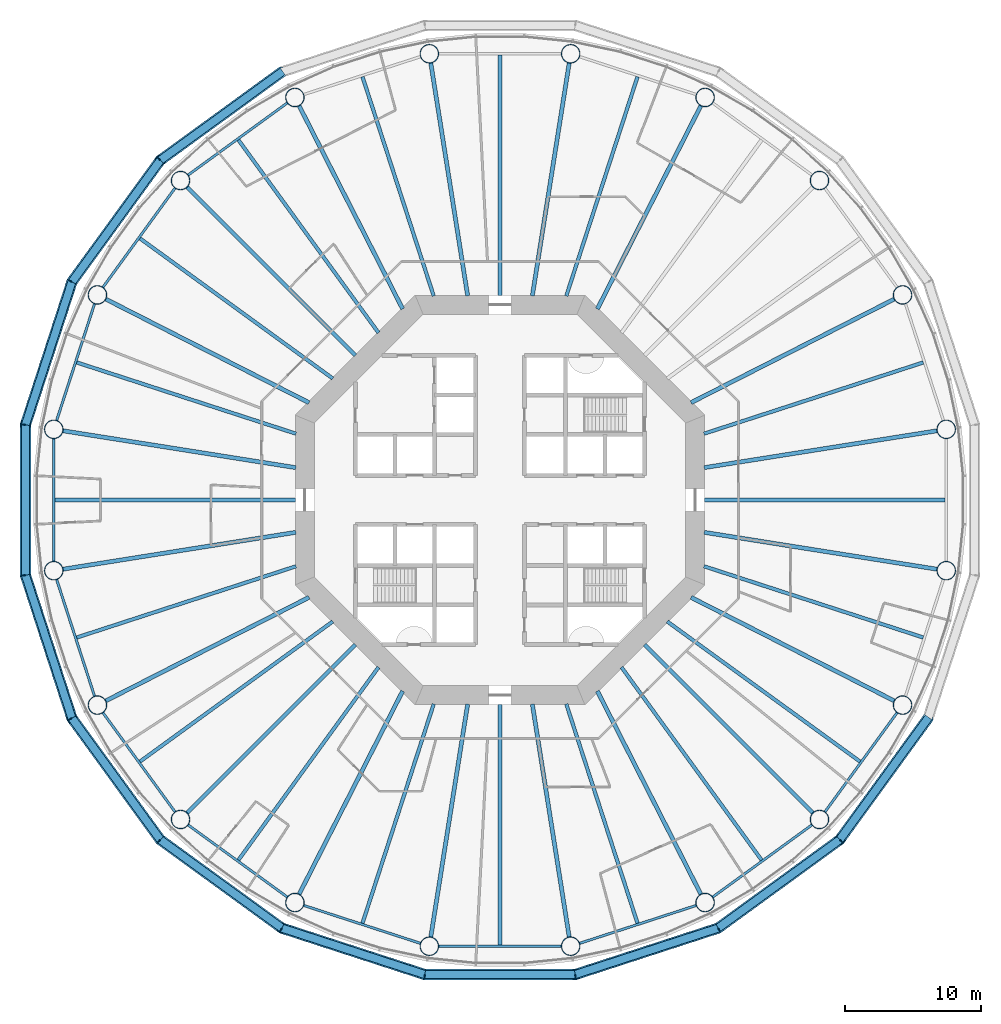
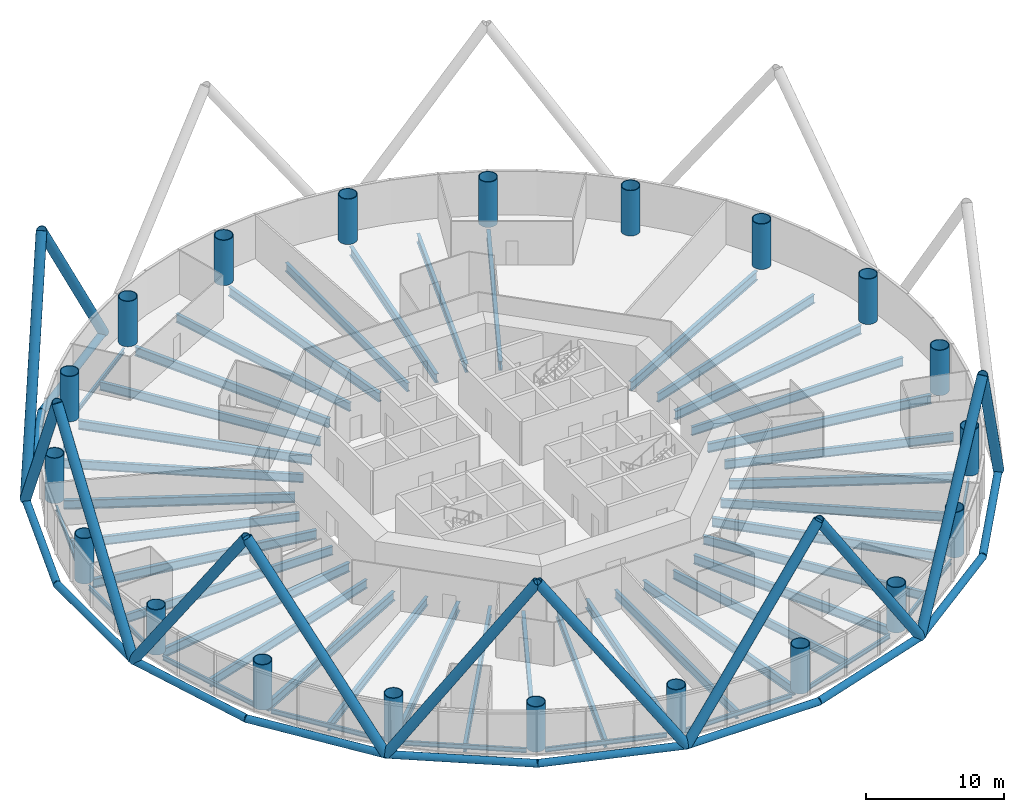
# One storey, part 1 of 13: 49 beams, 24 members, 20 columns.
"""IFC4 building model written with IfcOpenShell, lengths in metres."""

from ifc_helpers import new_model, si_unit, direction, frame, origin, origin_2d, place, context, subcontext, project, spatial, circle, hollow_circle, i_section, extrude, material, material_profile, profile_set, type_object, element, save


model = new_model("IFC4")

# Units and contexts
model_context = context("Model", 3, precision=1e-05, world=origin(), true_north=direction((0.0, 1.0)))
body_context = subcontext(model_context, "Body", "Model", "MODEL_VIEW")
ifc_project = project(units=[si_unit("LENGTHUNIT", "METRE"), si_unit("AREAUNIT", "SQUARE_METRE"), si_unit("VOLUMEUNIT", "CUBIC_METRE"), si_unit("PLANEANGLEUNIT", "RADIAN"), si_unit("MASSUNIT", "GRAM", prefix="KILO")], contexts=[model_context])

# Site, building, storey
site_placement = place(None, origin())
site = spatial("IfcSite", under=ifc_project, at=site_placement, CompositionType="ELEMENT")
building_placement = place(site_placement, origin())
building = spatial("IfcBuilding", under=site, at=building_placement, Name="Entoto Ring Tower", CompositionType="ELEMENT")
storey_placement = place(building_placement, frame((0.0, 0.0, 38.0)))
storey = spatial("IfcBuildingStorey", under=building, at=storey_placement, Name="L07", CompositionType="ELEMENT", Elevation=38.0)

# Columns
ifc_material_1 = material(Name="Steel S355", Category="steel")
ifc_material_profile_1 = material_profile(ifc_material_1, hollow_circle(Radius=0.699951171875, WallThickness=0.06005859375, at=origin_2d()), Name="CHS 1400 x 60")
ifc_material_2 = material(Name="Concrete C60/75", Category="concrete")
ifc_material_profile_2 = material_profile(ifc_material_2, circle(Radius=0.639892578125, at=origin_2d()), Name="Concrete C60/75 infill")
ifc_profile_set_1 = profile_set([ifc_material_profile_1, ifc_material_profile_2], Name="Steel S355")
column_type = type_object("IfcColumnType", Name="Ring column 1400 x 60 concrete-filled tube", PredefinedType="COLUMN", material=ifc_profile_set_1)
for number, where, z_axis, x_axis, name in (
    (1, (122.6923828125, 85.177978515625, 0.0), (0.0, 0.0, 1.0), (1.0, 0.0, 0.0), "RC1 R01"),
    (2, (119.492431640625, 95.027099609375, 0.0), (0.0, 0.0, 1.0), (1.0, 0.0, 0.0), "RC1 R02"),
    (3, (113.4052734375, 103.4052734375, 0.0), (0.0, 0.0, 1.0), (1.0, 0.0, 0.0), "RC1 R03"),
    (4, (105.027099609375, 109.492431640625, 0.0), (0.0, 0.0, 1.0), (1.0, 0.0, 0.0), "RC1 R04"),
    (5, (95.177978515625, 112.6923828125, 0.0), (0.0, 0.0, 1.0), (1.0, 0.0, 0.0), "RC1 R05"),
    (6, (84.822021484375, 112.6923828125, 0.0), (0.0, 0.0, 1.0), (1.0, 0.0, 0.0), "RC1 R06"),
    (7, (74.972900390625, 109.492431640625, 0.0), (0.0, 0.0, 1.0), (1.0, 0.0, 0.0), "RC1 R07"),
    (8, (66.5947265625, 103.4052734375, 0.0), (0.0, 0.0, 1.0), (1.0, 0.0, 0.0), "RC1 R08"),
    (9, (60.507568359375, 95.027099609375, 0.0), (0.0, 0.0, 1.0), (1.0, 0.0, 0.0), "RC1 R09"),
    (10, (57.3076171875, 85.177978515625, 0.0), (0.0, 0.0, 1.0), (1.0, 0.0, 0.0), "RC1 R10"),
    (11, (57.3076171875, 74.822021484375, 0.0), (0.0, 0.0, 1.0), (1.0, 0.0, 0.0), "RC1 R11"),
    (12, (60.507568359375, 64.972900390625, 0.0), (0.0, 0.0, 1.0), (1.0, 0.0, 0.0), "RC1 R12"),
    (13, (66.5947265625, 56.5947265625, 0.0), (0.0, 0.0, 1.0), (1.0, 0.0, 0.0), "RC1 R13"),
    (14, (74.972900390625, 50.507568359375, 0.0), (0.0, 0.0, 1.0), (1.0, 0.0, 0.0), "RC1 R14"),
    (15, (84.822021484375, 47.3076171875, 0.0), (0.0, 0.0, 1.0), (1.0, 0.0, 0.0), "RC1 R15"),
    (16, (95.177978515625, 47.3076171875, 0.0), (0.0, 0.0, 1.0), (1.0, 0.0, 0.0), "RC1 R16"),
    (17, (105.027099609375, 50.507568359375, 0.0), (0.0, 0.0, 1.0), (1.0, 0.0, 0.0), "RC1 R17"),
    (18, (113.4052734375, 56.5947265625, 0.0), (0.0, 0.0, 1.0), (1.0, 0.0, 0.0), "RC1 R18"),
    (19, (119.492431640625, 64.972900390625, 0.0), (0.0, 0.0, 1.0), (1.0, 0.0, 0.0), "RC1 R19"),
    (20, (122.6923828125, 74.822021484375, 0.0), (0.0, 0.0, 1.0), (1.0, 0.0, 0.0), "RC1 R20"),
):
    element("IfcColumn", number, at=place(storey_placement, frame(where, z_axis=z_axis, x_axis=x_axis)), inside=storey, type_object=column_type, Name=name, PredefinedType="COLUMN", context=body_context, shape_type="SweptSolid", body=[
        extrude(hollow_circle(Radius=0.699951171875, WallThickness=0.06005859375, at=origin_2d()), origin(), (0.0, 0.0, 1.0), 4.0),
    ])

# Members
ifc_material_3 = material(Name="Steel S355", Category="steel")
ifc_material_profile_3 = material_profile(ifc_material_3, hollow_circle(Radius=0.39990234375, WallThickness=0.0400390625, at=origin_2d()), Name="CHS 800 x 40")
ifc_material_4 = material(Name="Concrete C60/75", Category="concrete")
ifc_material_profile_4 = material_profile(ifc_material_4, circle(Radius=0.360107421875, at=origin_2d()), Name="Concrete C60/75 infill")
ifc_profile_set_2 = profile_set([ifc_material_profile_3, ifc_material_profile_4], Name="Steel S355")
member_type_1 = type_object("IfcMemberType", Name="Diagrid diagonal 800 x 40 concrete-filled tube", PredefinedType="BRACE", material=ifc_profile_set_2)
for number, where, z_axis, x_axis, name in (
    (21, (74.01953125, 111.363525390625, 0.0), (-0.458696716441, -0.333269672725, 0.823728503554), (0.587793333731, -0.809011122805, 0.0), "DG1 module 3 08"),
    (22, (58.636474609375, 95.98046875, 0.0), (0.333269672725, 0.458696716441, 0.823728503554), (-0.809011122805, 0.587793333731, 0.0), "DG1 module 3 09"),
    (23, (58.636474609375, 95.98046875, 0.0), (-0.175201587447, -0.539229736931, 0.823732781043), (0.951058991317, -0.309009376937, 0.0), "DG1 module 3 10"),
):
    element("IfcMember", number, at=place(storey_placement, frame(where, z_axis=z_axis, x_axis=x_axis)), inside=storey, type_object=member_type_1, Name=name, PredefinedType="BRACE", context=body_context, shape_type="SweptSolid", body=[
        extrude(hollow_circle(Radius=0.39990234375, WallThickness=0.0400390625, at=origin_2d()), origin(), (0.0, 0.0, 1.0), 19.423828125),
    ])
member_1_placement = place(storey_placement, frame((55.2333984375, 74.493408203125, 0.0), z_axis=(0.0, 0.566989621488, 0.823724935355), x_axis=(-1.0, 0.0, 0.0)))
element("IfcMember", 24, at=member_1_placement, inside=storey, type_object=member_type_1, Name="DG1 module 3 11", PredefinedType="BRACE", context=body_context, shape_type="SweptSolid", body=[
    extrude(hollow_circle(Radius=0.39990234375, WallThickness=0.0400390625, at=origin_2d()), origin(), (0.0, 0.0, 1.0), 19.424072265625),
])
for number, where, z_axis, x_axis, name in (
    (25, (55.2333984375, 74.493408203125, 0.0), (0.175201587447, -0.539229736931, 0.823732781043), (0.951058991317, 0.309009376937, 0.0), "DG1 module 3 12"),
    (26, (65.10986328125, 55.10986328125, 0.0), (-0.333269672725, 0.458696716441, 0.823728503554), (-0.809011122805, -0.587793333731, 0.0), "DG1 module 3 13"),
    (27, (65.10986328125, 55.10986328125, 0.0), (0.458696716441, -0.333269672725, 0.823728503554), (0.587793333731, 0.809011122805, 0.0), "DG1 module 3 14"),
    (28, (84.493408203125, 45.2333984375, 0.0), (-0.539229736931, 0.175201587447, 0.823732781043), (-0.309009376937, -0.951058991317, 0.0), "DG1 module 3 15"),
):
    element("IfcMember", number, at=place(storey_placement, frame(where, z_axis=z_axis, x_axis=x_axis)), inside=storey, type_object=member_type_1, Name=name, PredefinedType="BRACE", context=body_context, shape_type="SweptSolid", body=[
        extrude(hollow_circle(Radius=0.39990234375, WallThickness=0.0400390625, at=origin_2d()), origin(), (0.0, 0.0, 1.0), 19.423828125),
    ])
member_2_placement = place(storey_placement, frame((84.493408203125, 45.2333984375, 0.0), z_axis=(0.566989621488, 0.0, 0.823724935355), x_axis=(0.0, 1.0, 0.0)))
element("IfcMember", 29, at=member_2_placement, inside=storey, type_object=member_type_1, Name="DG1 module 3 16", PredefinedType="BRACE", context=body_context, shape_type="SweptSolid", body=[
    extrude(hollow_circle(Radius=0.39990234375, WallThickness=0.0400390625, at=origin_2d()), origin(), (0.0, 0.0, 1.0), 19.424072265625),
])
for number, where, z_axis, x_axis, name in (
    (30, (105.98046875, 48.636474609375, 0.0), (-0.539229736931, -0.175201587447, 0.823732781043), (0.309009376937, -0.951058991317, 0.0), "DG1 module 3 17"),
    (31, (105.98046875, 48.636474609375, 0.0), (0.458696716441, 0.333269672725, 0.823728503554), (-0.587793333731, 0.809011122805, 0.0), "DG1 module 3 18"),
    (32, (121.363525390625, 64.01953125, 0.0), (-0.333269672725, -0.458696716441, 0.823728503554), (0.809011122805, -0.587793333731, 0.0), "DG1 module 3 19"),
):
    element("IfcMember", number, at=place(storey_placement, frame(where, z_axis=z_axis, x_axis=x_axis)), inside=storey, type_object=member_type_1, Name=name, PredefinedType="BRACE", context=body_context, shape_type="SweptSolid", body=[
        extrude(hollow_circle(Radius=0.39990234375, WallThickness=0.0400390625, at=origin_2d()), origin(), (0.0, 0.0, 1.0), 19.423828125),
    ])
ifc_material_5 = material(Name="Steel S355", Category="steel")
ifc_material_profile_5 = material_profile(ifc_material_5, hollow_circle(Radius=0.300048828125, WallThickness=0.030029296875, at=origin_2d()), Name="CHS 600 x 30")
ifc_material_6 = material(Name="Concrete C60/75", Category="concrete")
ifc_material_profile_6 = material_profile(ifc_material_6, circle(Radius=0.27001953125, at=origin_2d()), Name="Concrete C60/75 infill")
ifc_profile_set_3 = profile_set([ifc_material_profile_5, ifc_material_profile_6], Name="Steel S355")
member_type_2 = type_object("IfcMemberType", Name="Diagrid ring beam 600 x 30", PredefinedType="CHORD", material=ifc_profile_set_3)
for number, where, z_axis, x_axis, name in (
    (33, (74.07421875, 111.403076171875, 0.0), (-0.809026721692, -0.587771863556, 0.0), (0.587771863556, -0.809026721692, 0.0), "DR1 ring 2 07"),
    (34, (65.1494140625, 104.94482421875, 0.0), (-0.587771863556, -0.809026721692, 0.0), (0.809026721692, -0.587771863556, 0.0), "DR1 ring 2 08"),
    (35, (58.657470703125, 96.044677734375, 0.0), (-0.309031105137, -0.951051931315, 0.0), (0.951051931315, -0.309031105137, 0.0), "DR1 ring 2 09"),
    (36, (55.2333984375, 85.573974609375, 0.0), (0.0, -1.0, 0.0), (1.0, 0.0, 0.0), "DR1 ring 2 10"),
    (37, (55.21240234375, 74.5576171875, 0.0), (0.309031105137, -0.951051931315, 0.0), (0.951051931315, 0.309031105137, 0.0), "DR1 ring 2 11"),
    (38, (58.596923828125, 64.07421875, 0.0), (0.587771863556, -0.809026721692, 0.0), (0.809026721692, 0.587771863556, 0.0), "DR1 ring 2 12"),
    (39, (65.05517578125, 55.1494140625, 0.0), (0.809026721692, -0.587771863556, 0.0), (0.587771863556, 0.809026721692, 0.0), "DR1 ring 2 13"),
    (40, (73.955322265625, 48.657470703125, 0.0), (0.951051931315, -0.309031105137, 0.0), (0.309031105137, 0.951051931315, 0.0), "DR1 ring 2 14"),
    (41, (84.426025390625, 45.2333984375, 0.0), (1.0, 0.0, 0.0), (0.0, 1.0, 0.0), "DR1 ring 2 15"),
    (42, (95.4423828125, 45.21240234375, 0.0), (0.951051931315, 0.309031105137, 0.0), (-0.309031105137, 0.951051931315, 0.0), "DR1 ring 2 16"),
    (43, (105.92578125, 48.596923828125, 0.0), (0.809026721692, 0.587771863556, 0.0), (-0.587771863556, 0.809026721692, 0.0), "DR1 ring 2 17"),
    (44, (114.8505859375, 55.05517578125, 0.0), (0.587771863556, 0.809026721692, 0.0), (-0.809026721692, 0.587771863556, 0.0), "DR1 ring 2 18"),
):
    element("IfcMember", number, at=place(storey_placement, frame(where, z_axis=z_axis, x_axis=x_axis)), inside=storey, type_object=member_type_2, Name=name, PredefinedType="CHORD", context=body_context, shape_type="SweptSolid", body=[
        extrude(hollow_circle(Radius=0.300048828125, WallThickness=0.030029296875, at=origin_2d()), origin(), (0.0, 0.0, 1.0), 11.14794921875),
    ])

# Beams
ifc_material_7 = material(Name="Steel S355", Category="steel")
ifc_material_profile_7 = material_profile(ifc_material_7, i_section(OverallWidth=0.179931640625, OverallDepth=0.39990234375, WebThickness=0.008544921875, FlangeThickness=0.013427734375, FilletRadius=0.02099609375, at=origin_2d()), Name="IPE 400")
ifc_profile_set_4 = profile_set([ifc_material_profile_7], Name="Steel S355")
beam_type_1 = type_object("IfcBeamType", Name="Edge beam IPE 400", PredefinedType="SPANDREL", material=ifc_profile_set_4)
for number, where, z_axis, x_axis, name in (
    (45, (74.427490234375, 109.09619140625, -0.35009765625), (-0.80901142547, -0.587792917156, 0.0), (0.587792917156, -0.80901142547, 0.0), "Edge beam L07 07"),
    (46, (66.198486328125, 102.85986328125, -0.35009765625), (-0.587792917156, -0.80901142547, 0.0), (0.80901142547, -0.587792917156, 0.0), "Edge beam L07 08"),
    (47, (60.29931640625, 94.385986328125, -0.35009765625), (-0.309006400295, -0.951059958455, 0.0), (0.951059958455, -0.309006400295, 0.0), "Edge beam L07 09"),
    (48, (57.3076171875, 84.50390625, -0.35009765625), (0.0, -1.0, 0.0), (1.0, 0.0, 0.0), "Edge beam L07 10"),
    (49, (57.515869140625, 74.180908203125, -0.35009765625), (0.309006400295, -0.951059958455, 0.0), (0.951059958455, 0.309006400295, 0.0), "Edge beam L07 11"),
    (50, (60.90380859375, 64.427490234375, -0.35009765625), (0.587792917156, -0.80901142547, 0.0), (0.80901142547, 0.587792917156, 0.0), "Edge beam L07 12"),
    (51, (67.14013671875, 56.198486328125, -0.35009765625), (0.80901142547, -0.587792917156, 0.0), (0.587792917156, 0.80901142547, 0.0), "Edge beam L07 13"),
    (52, (75.614013671875, 50.29931640625, -0.35009765625), (0.951059958455, -0.309006400295, 0.0), (0.309006400295, 0.951059958455, 0.0), "Edge beam L07 14"),
    (53, (85.49609375, 47.3076171875, -0.35009765625), (1.0, 0.0, 0.0), (0.0, 1.0, 0.0), "Edge beam L07 15"),
    (54, (95.819091796875, 47.515869140625, -0.35009765625), (0.951059958455, 0.309006400295, 0.0), (-0.309006400295, 0.951059958455, 0.0), "Edge beam L07 16"),
    (55, (105.572509765625, 50.90380859375, -0.35009765625), (0.80901142547, 0.587792917156, 0.0), (-0.587792917156, 0.80901142547, 0.0), "Edge beam L07 17"),
    (56, (113.801513671875, 57.14013671875, -0.35009765625), (0.587792917156, 0.80901142547, 0.0), (-0.80901142547, 0.587792917156, 0.0), "Edge beam L07 18"),
):
    element("IfcBeam", number, at=place(storey_placement, frame(where, z_axis=z_axis, x_axis=x_axis)), inside=storey, type_object=beam_type_1, Name=name, PredefinedType="SPANDREL", context=body_context, shape_type="SweptSolid", body=[
        extrude(i_section(OverallWidth=0.179931640625, OverallDepth=0.39990234375, WebThickness=0.008544921875, FlangeThickness=0.013427734375, FilletRadius=0.02099609375, at=origin_2d()), origin(), (0.0, 0.0, 1.0), 9.0078125),
    ])
ifc_material_8 = material(Name="Steel S355", Category="steel")
ifc_material_profile_8 = material_profile(ifc_material_8, i_section(OverallWidth=0.300048828125, OverallDepth=0.800048828125, WebThickness=0.017578125, FlangeThickness=0.032958984375, FilletRadius=0.030029296875, at=origin_2d()), Name="HE 800 B")
ifc_profile_set_5 = profile_set([ifc_material_profile_8], Name="Steel S355")
beam_type_2 = type_object("IfcBeamType", Name="Primary floor beam HE 800 B", PredefinedType="BEAM", material=ifc_profile_set_5)
beam_1_placement = place(storey_placement, frame((104.956787109375, 82.368896484375, -0.550048828125), z_axis=(0.98768775999, 0.156438130794, 0.0), x_axis=(-0.156438130794, 0.98768775999, 0.0)))
element("IfcBeam", 57, at=beam_1_placement, inside=storey, type_object=beam_type_2, Name="Primary L07 R01", PredefinedType="BEAM", context=body_context, shape_type="SweptSolid", body=[
    extrude(i_section(OverallWidth=0.300048828125, OverallDepth=0.800048828125, WebThickness=0.017578125, FlangeThickness=0.032958984375, FilletRadius=0.030029296875, at=origin_2d()), origin(), (0.0, 0.0, 1.0), 17.293212890625),
])
for number, where, z_axis, x_axis, name in (
    (58, (103.99169921875, 87.129150390625, -0.550048828125), (0.891007761657, 0.453988071063, 0.0), (-0.453988071063, 0.891007761657, 0.0), "Primary L07 R02"),
    (59, (97.129150390625, 93.99169921875, -0.550048828125), (0.453988071063, 0.891007761657, 0.0), (-0.891007761657, 0.453988071063, 0.0), "Primary L07 R04"),
):
    element("IfcBeam", number, at=place(storey_placement, frame(where, z_axis=z_axis, x_axis=x_axis)), inside=storey, type_object=beam_type_2, Name=name, PredefinedType="BEAM", context=body_context, shape_type="SweptSolid", body=[
        extrude(i_section(OverallWidth=0.300048828125, OverallDepth=0.800048828125, WebThickness=0.017578125, FlangeThickness=0.032958984375, FilletRadius=0.030029296875, at=origin_2d()), origin(), (0.0, 0.0, 1.0), 16.733154296875),
    ])
for number, where, z_axis, x_axis, name in (
    (60, (92.368896484375, 94.956787109375, -0.550048828125), (0.156438130794, 0.98768775999, 0.0), (-0.98768775999, 0.156438130794, 0.0), "Primary L07 R05"),
    (61, (87.631103515625, 94.956787109375, -0.550048828125), (-0.156438130794, 0.98768775999, 0.0), (-0.98768775999, -0.156438130794, 0.0), "Primary L07 R06"),
):
    element("IfcBeam", number, at=place(storey_placement, frame(where, z_axis=z_axis, x_axis=x_axis)), inside=storey, type_object=beam_type_2, Name=name, PredefinedType="BEAM", context=body_context, shape_type="SweptSolid", body=[
        extrude(i_section(OverallWidth=0.300048828125, OverallDepth=0.800048828125, WebThickness=0.017578125, FlangeThickness=0.032958984375, FilletRadius=0.030029296875, at=origin_2d()), origin(), (0.0, 0.0, 1.0), 17.293212890625),
    ])
beam_2_placement = place(storey_placement, frame((82.870849609375, 93.99169921875, -0.550048828125), z_axis=(-0.453988071063, 0.891007761657, 0.0), x_axis=(-0.891007761657, -0.453988071063, 0.0)))
element("IfcBeam", 62, at=beam_2_placement, inside=storey, type_object=beam_type_2, Name="Primary L07 R07", PredefinedType="BEAM", context=body_context, shape_type="SweptSolid", body=[
    extrude(i_section(OverallWidth=0.300048828125, OverallDepth=0.800048828125, WebThickness=0.017578125, FlangeThickness=0.032958984375, FilletRadius=0.030029296875, at=origin_2d()), origin(), (0.0, 0.0, 1.0), 16.733154296875),
])
beam_3_placement = place(storey_placement, frame((79.407470703125, 90.592529296875, -0.550048828125), z_axis=(-0.707106781187, 0.707106781187, 0.0), x_axis=(-0.707106781187, -0.707106781187, 0.0)))
element("IfcBeam", 63, at=beam_3_placement, inside=storey, type_object=beam_type_2, Name="Primary L07 R08", PredefinedType="BEAM", context=body_context, shape_type="SweptSolid", body=[
    extrude(i_section(OverallWidth=0.300048828125, OverallDepth=0.800048828125, WebThickness=0.017578125, FlangeThickness=0.032958984375, FilletRadius=0.030029296875, at=origin_2d()), origin(), (0.0, 0.0, 1.0), 17.456298828125),
])
beam_4_placement = place(storey_placement, frame((76.00830078125, 87.129150390625, -0.550048828125), z_axis=(-0.891007761657, 0.453988071063, 0.0), x_axis=(-0.453988071063, -0.891007761657, 0.0)))
element("IfcBeam", 64, at=beam_4_placement, inside=storey, type_object=beam_type_2, Name="Primary L07 R09", PredefinedType="BEAM", context=body_context, shape_type="SweptSolid", body=[
    extrude(i_section(OverallWidth=0.300048828125, OverallDepth=0.800048828125, WebThickness=0.017578125, FlangeThickness=0.032958984375, FilletRadius=0.030029296875, at=origin_2d()), origin(), (0.0, 0.0, 1.0), 16.733154296875),
])
for number, where, z_axis, x_axis, name in (
    (65, (75.043212890625, 82.368896484375, -0.550048828125), (-0.98768775999, 0.156438130794, 0.0), (-0.156438130794, -0.98768775999, 0.0), "Primary L07 R10"),
    (66, (75.043212890625, 77.631103515625, -0.550048828125), (-0.98768775999, -0.156438130794, 0.0), (0.156438130794, -0.98768775999, 0.0), "Primary L07 R11"),
):
    element("IfcBeam", number, at=place(storey_placement, frame(where, z_axis=z_axis, x_axis=x_axis)), inside=storey, type_object=beam_type_2, Name=name, PredefinedType="BEAM", context=body_context, shape_type="SweptSolid", body=[
        extrude(i_section(OverallWidth=0.300048828125, OverallDepth=0.800048828125, WebThickness=0.017578125, FlangeThickness=0.032958984375, FilletRadius=0.030029296875, at=origin_2d()), origin(), (0.0, 0.0, 1.0), 17.293212890625),
    ])
beam_5_placement = place(storey_placement, frame((76.00830078125, 72.870849609375, -0.550048828125), z_axis=(-0.891007761657, -0.453988071063, 0.0), x_axis=(0.453988071063, -0.891007761657, 0.0)))
element("IfcBeam", 67, at=beam_5_placement, inside=storey, type_object=beam_type_2, Name="Primary L07 R12", PredefinedType="BEAM", context=body_context, shape_type="SweptSolid", body=[
    extrude(i_section(OverallWidth=0.300048828125, OverallDepth=0.800048828125, WebThickness=0.017578125, FlangeThickness=0.032958984375, FilletRadius=0.030029296875, at=origin_2d()), origin(), (0.0, 0.0, 1.0), 16.733154296875),
])
beam_6_placement = place(storey_placement, frame((79.407470703125, 69.407470703125, -0.550048828125), z_axis=(-0.707106781187, -0.707106781187, 0.0), x_axis=(0.707106781187, -0.707106781187, 0.0)))
element("IfcBeam", 68, at=beam_6_placement, inside=storey, type_object=beam_type_2, Name="Primary L07 R13", PredefinedType="BEAM", context=body_context, shape_type="SweptSolid", body=[
    extrude(i_section(OverallWidth=0.300048828125, OverallDepth=0.800048828125, WebThickness=0.017578125, FlangeThickness=0.032958984375, FilletRadius=0.030029296875, at=origin_2d()), origin(), (0.0, 0.0, 1.0), 17.456298828125),
])
beam_7_placement = place(storey_placement, frame((82.870849609375, 66.00830078125, -0.550048828125), z_axis=(-0.453988071063, -0.891007761657, 0.0), x_axis=(0.891007761657, -0.453988071063, 0.0)))
element("IfcBeam", 69, at=beam_7_placement, inside=storey, type_object=beam_type_2, Name="Primary L07 R14", PredefinedType="BEAM", context=body_context, shape_type="SweptSolid", body=[
    extrude(i_section(OverallWidth=0.300048828125, OverallDepth=0.800048828125, WebThickness=0.017578125, FlangeThickness=0.032958984375, FilletRadius=0.030029296875, at=origin_2d()), origin(), (0.0, 0.0, 1.0), 16.733154296875),
])
for number, where, z_axis, x_axis, name in (
    (70, (87.631103515625, 65.043212890625, -0.550048828125), (-0.156438130794, -0.98768775999, 0.0), (0.98768775999, -0.156438130794, 0.0), "Primary L07 R15"),
    (71, (92.368896484375, 65.043212890625, -0.550048828125), (0.156438130794, -0.98768775999, 0.0), (0.98768775999, 0.156438130794, 0.0), "Primary L07 R16"),
):
    element("IfcBeam", number, at=place(storey_placement, frame(where, z_axis=z_axis, x_axis=x_axis)), inside=storey, type_object=beam_type_2, Name=name, PredefinedType="BEAM", context=body_context, shape_type="SweptSolid", body=[
        extrude(i_section(OverallWidth=0.300048828125, OverallDepth=0.800048828125, WebThickness=0.017578125, FlangeThickness=0.032958984375, FilletRadius=0.030029296875, at=origin_2d()), origin(), (0.0, 0.0, 1.0), 17.293212890625),
    ])
beam_8_placement = place(storey_placement, frame((97.129150390625, 66.00830078125, -0.550048828125), z_axis=(0.453988071063, -0.891007761657, 0.0), x_axis=(0.891007761657, 0.453988071063, 0.0)))
element("IfcBeam", 72, at=beam_8_placement, inside=storey, type_object=beam_type_2, Name="Primary L07 R17", PredefinedType="BEAM", context=body_context, shape_type="SweptSolid", body=[
    extrude(i_section(OverallWidth=0.300048828125, OverallDepth=0.800048828125, WebThickness=0.017578125, FlangeThickness=0.032958984375, FilletRadius=0.030029296875, at=origin_2d()), origin(), (0.0, 0.0, 1.0), 16.733154296875),
])
beam_9_placement = place(storey_placement, frame((100.592529296875, 69.407470703125, -0.550048828125), z_axis=(0.707106781187, -0.707106781187, 0.0), x_axis=(0.707106781187, 0.707106781187, 0.0)))
element("IfcBeam", 73, at=beam_9_placement, inside=storey, type_object=beam_type_2, Name="Primary L07 R18", PredefinedType="BEAM", context=body_context, shape_type="SweptSolid", body=[
    extrude(i_section(OverallWidth=0.300048828125, OverallDepth=0.800048828125, WebThickness=0.017578125, FlangeThickness=0.032958984375, FilletRadius=0.030029296875, at=origin_2d()), origin(), (0.0, 0.0, 1.0), 17.456298828125),
])
beam_10_placement = place(storey_placement, frame((103.99169921875, 72.870849609375, -0.550048828125), z_axis=(0.891007761657, -0.453988071063, 0.0), x_axis=(0.453988071063, 0.891007761657, 0.0)))
element("IfcBeam", 74, at=beam_10_placement, inside=storey, type_object=beam_type_2, Name="Primary L07 R19", PredefinedType="BEAM", context=body_context, shape_type="SweptSolid", body=[
    extrude(i_section(OverallWidth=0.300048828125, OverallDepth=0.800048828125, WebThickness=0.017578125, FlangeThickness=0.032958984375, FilletRadius=0.030029296875, at=origin_2d()), origin(), (0.0, 0.0, 1.0), 16.733154296875),
])
beam_11_placement = place(storey_placement, frame((104.956787109375, 77.631103515625, -0.550048828125), z_axis=(0.98768775999, -0.156438130794, 0.0), x_axis=(0.156438130794, 0.98768775999, 0.0)))
element("IfcBeam", 75, at=beam_11_placement, inside=storey, type_object=beam_type_2, Name="Primary L07 R20", PredefinedType="BEAM", context=body_context, shape_type="SweptSolid", body=[
    extrude(i_section(OverallWidth=0.300048828125, OverallDepth=0.800048828125, WebThickness=0.017578125, FlangeThickness=0.032958984375, FilletRadius=0.030029296875, at=origin_2d()), origin(), (0.0, 0.0, 1.0), 17.293212890625),
])
ifc_material_9 = material(Name="Steel S355", Category="steel")
ifc_material_profile_9 = material_profile(ifc_material_9, i_section(OverallWidth=0.262939453125, OverallDepth=0.7529296875, WebThickness=0.011474609375, FlangeThickness=0.01708984375, FilletRadius=0.01708984375, at=origin_2d()), Name="IPE 750 x 137")
ifc_profile_set_6 = profile_set([ifc_material_profile_9], Name="Steel S355")
beam_type_3 = type_object("IfcBeamType", Name="Secondary floor beam IPE 750 x 137", PredefinedType="JOIST", material=ifc_profile_set_6)
for number, where, z_axis, x_axis, name in (
    (76, (104.9404296875, 84.8544921875, -0.526611328125), (0.951057855768, 0.30901287187, 0.0), (-0.30901287187, 0.951057855768, 0.0), "Secondary beam L07 01"),
    (77, (94.8544921875, 94.9404296875, -0.526611328125), (0.30901287187, 0.951057855768, 0.0), (-0.951057855768, 0.30901287187, 0.0), "Secondary beam L07 04"),
):
    element("IfcBeam", number, at=place(storey_placement, frame(where, z_axis=z_axis, x_axis=x_axis)), inside=storey, type_object=beam_type_3, Name=name, PredefinedType="JOIST", context=body_context, shape_type="SweptSolid", body=[
        extrude(i_section(OverallWidth=0.262939453125, OverallDepth=0.7529296875, WebThickness=0.011474609375, FlangeThickness=0.01708984375, FilletRadius=0.01708984375, at=origin_2d()), origin(), (0.0, 0.0, 1.0), 16.893310546875),
    ])
beam_12_placement = place(storey_placement, frame((90.0, 94.97998046875, -0.526611328125), z_axis=(0.0, 1.0, 0.0), x_axis=(-1.0, 0.0, 0.0)))
element("IfcBeam", 78, at=beam_12_placement, inside=storey, type_object=beam_type_3, Name="Secondary beam L07 05", PredefinedType="JOIST", context=body_context, shape_type="SweptSolid", body=[
    extrude(i_section(OverallWidth=0.262939453125, OverallDepth=0.7529296875, WebThickness=0.011474609375, FlangeThickness=0.01708984375, FilletRadius=0.01708984375, at=origin_2d()), origin(), (0.0, 0.0, 1.0), 17.62255859375),
])
beam_13_placement = place(storey_placement, frame((85.1455078125, 94.9404296875, -0.526611328125), z_axis=(-0.30901287187, 0.951057855768, 0.0), x_axis=(-0.951057855768, -0.30901287187, 0.0)))
element("IfcBeam", 79, at=beam_13_placement, inside=storey, type_object=beam_type_3, Name="Secondary beam L07 06", PredefinedType="JOIST", context=body_context, shape_type="SweptSolid", body=[
    extrude(i_section(OverallWidth=0.262939453125, OverallDepth=0.7529296875, WebThickness=0.011474609375, FlangeThickness=0.01708984375, FilletRadius=0.01708984375, at=origin_2d()), origin(), (0.0, 0.0, 1.0), 16.893310546875),
])
for number, where, z_axis, x_axis, name in (
    (80, (81.097412109375, 92.25341796875, -0.526611328125), (-0.58778910532, 0.809014194973, 0.0), (-0.809014194973, -0.58778910532, 0.0), "Secondary beam L07 07"),
    (81, (77.74658203125, 88.902587890625, -0.526611328125), (-0.809014194973, 0.58778910532, 0.0), (-0.58778910532, -0.809014194973, 0.0), "Secondary beam L07 08"),
):
    element("IfcBeam", number, at=place(storey_placement, frame(where, z_axis=z_axis, x_axis=x_axis)), inside=storey, type_object=beam_type_3, Name=name, PredefinedType="JOIST", context=body_context, shape_type="SweptSolid", body=[
        extrude(i_section(OverallWidth=0.262939453125, OverallDepth=0.7529296875, WebThickness=0.011474609375, FlangeThickness=0.01708984375, FilletRadius=0.01708984375, at=origin_2d()), origin(), (0.0, 0.0, 1.0), 17.45654296875),
    ])
beam_14_placement = place(storey_placement, frame((75.0595703125, 84.8544921875, -0.526611328125), z_axis=(-0.951057855768, 0.30901287187, 0.0), x_axis=(-0.30901287187, -0.951057855768, 0.0)))
element("IfcBeam", 82, at=beam_14_placement, inside=storey, type_object=beam_type_3, Name="Secondary beam L07 09", PredefinedType="JOIST", context=body_context, shape_type="SweptSolid", body=[
    extrude(i_section(OverallWidth=0.262939453125, OverallDepth=0.7529296875, WebThickness=0.011474609375, FlangeThickness=0.01708984375, FilletRadius=0.01708984375, at=origin_2d()), origin(), (0.0, 0.0, 1.0), 16.893310546875),
])
beam_15_placement = place(storey_placement, frame((75.02001953125, 80.0, -0.526611328125), z_axis=(-1.0, 0.0, 0.0), x_axis=(0.0, -1.0, 0.0)))
element("IfcBeam", 83, at=beam_15_placement, inside=storey, type_object=beam_type_3, Name="Secondary beam L07 10", PredefinedType="JOIST", context=body_context, shape_type="SweptSolid", body=[
    extrude(i_section(OverallWidth=0.262939453125, OverallDepth=0.7529296875, WebThickness=0.011474609375, FlangeThickness=0.01708984375, FilletRadius=0.01708984375, at=origin_2d()), origin(), (0.0, 0.0, 1.0), 17.62255859375),
])
beam_16_placement = place(storey_placement, frame((75.0595703125, 75.1455078125, -0.526611328125), z_axis=(-0.951057855768, -0.30901287187, 0.0), x_axis=(0.30901287187, -0.951057855768, 0.0)))
element("IfcBeam", 84, at=beam_16_placement, inside=storey, type_object=beam_type_3, Name="Secondary beam L07 11", PredefinedType="JOIST", context=body_context, shape_type="SweptSolid", body=[
    extrude(i_section(OverallWidth=0.262939453125, OverallDepth=0.7529296875, WebThickness=0.011474609375, FlangeThickness=0.01708984375, FilletRadius=0.01708984375, at=origin_2d()), origin(), (0.0, 0.0, 1.0), 16.893310546875),
])
for number, where, z_axis, x_axis, name in (
    (85, (77.74658203125, 71.097412109375, -0.526611328125), (-0.809014194973, -0.58778910532, 0.0), (0.58778910532, -0.809014194973, 0.0), "Secondary beam L07 12"),
    (86, (81.097412109375, 67.74658203125, -0.526611328125), (-0.58778910532, -0.809014194973, 0.0), (0.809014194973, -0.58778910532, 0.0), "Secondary beam L07 13"),
):
    element("IfcBeam", number, at=place(storey_placement, frame(where, z_axis=z_axis, x_axis=x_axis)), inside=storey, type_object=beam_type_3, Name=name, PredefinedType="JOIST", context=body_context, shape_type="SweptSolid", body=[
        extrude(i_section(OverallWidth=0.262939453125, OverallDepth=0.7529296875, WebThickness=0.011474609375, FlangeThickness=0.01708984375, FilletRadius=0.01708984375, at=origin_2d()), origin(), (0.0, 0.0, 1.0), 17.45654296875),
    ])
beam_17_placement = place(storey_placement, frame((85.1455078125, 65.0595703125, -0.526611328125), z_axis=(-0.30901287187, -0.951057855768, 0.0), x_axis=(0.951057855768, -0.30901287187, 0.0)))
element("IfcBeam", 87, at=beam_17_placement, inside=storey, type_object=beam_type_3, Name="Secondary beam L07 14", PredefinedType="JOIST", context=body_context, shape_type="SweptSolid", body=[
    extrude(i_section(OverallWidth=0.262939453125, OverallDepth=0.7529296875, WebThickness=0.011474609375, FlangeThickness=0.01708984375, FilletRadius=0.01708984375, at=origin_2d()), origin(), (0.0, 0.0, 1.0), 16.893310546875),
])
beam_18_placement = place(storey_placement, frame((90.0, 65.02001953125, -0.526611328125), z_axis=(0.0, -1.0, 0.0), x_axis=(1.0, 0.0, 0.0)))
element("IfcBeam", 88, at=beam_18_placement, inside=storey, type_object=beam_type_3, Name="Secondary beam L07 15", PredefinedType="JOIST", context=body_context, shape_type="SweptSolid", body=[
    extrude(i_section(OverallWidth=0.262939453125, OverallDepth=0.7529296875, WebThickness=0.011474609375, FlangeThickness=0.01708984375, FilletRadius=0.01708984375, at=origin_2d()), origin(), (0.0, 0.0, 1.0), 17.62255859375),
])
beam_19_placement = place(storey_placement, frame((94.8544921875, 65.0595703125, -0.526611328125), z_axis=(0.30901287187, -0.951057855768, 0.0), x_axis=(0.951057855768, 0.30901287187, 0.0)))
element("IfcBeam", 89, at=beam_19_placement, inside=storey, type_object=beam_type_3, Name="Secondary beam L07 16", PredefinedType="JOIST", context=body_context, shape_type="SweptSolid", body=[
    extrude(i_section(OverallWidth=0.262939453125, OverallDepth=0.7529296875, WebThickness=0.011474609375, FlangeThickness=0.01708984375, FilletRadius=0.01708984375, at=origin_2d()), origin(), (0.0, 0.0, 1.0), 16.893310546875),
])
for number, where, z_axis, x_axis, name in (
    (90, (98.902587890625, 67.74658203125, -0.526611328125), (0.58778910532, -0.809014194973, 0.0), (0.809014194973, 0.58778910532, 0.0), "Secondary beam L07 17"),
    (91, (102.25341796875, 71.097412109375, -0.526611328125), (0.809014194973, -0.58778910532, 0.0), (0.58778910532, 0.809014194973, 0.0), "Secondary beam L07 18"),
):
    element("IfcBeam", number, at=place(storey_placement, frame(where, z_axis=z_axis, x_axis=x_axis)), inside=storey, type_object=beam_type_3, Name=name, PredefinedType="JOIST", context=body_context, shape_type="SweptSolid", body=[
        extrude(i_section(OverallWidth=0.262939453125, OverallDepth=0.7529296875, WebThickness=0.011474609375, FlangeThickness=0.01708984375, FilletRadius=0.01708984375, at=origin_2d()), origin(), (0.0, 0.0, 1.0), 17.45654296875),
    ])
beam_20_placement = place(storey_placement, frame((104.9404296875, 75.1455078125, -0.526611328125), z_axis=(0.951057855768, -0.30901287187, 0.0), x_axis=(0.30901287187, 0.951057855768, 0.0)))
element("IfcBeam", 92, at=beam_20_placement, inside=storey, type_object=beam_type_3, Name="Secondary beam L07 19", PredefinedType="JOIST", context=body_context, shape_type="SweptSolid", body=[
    extrude(i_section(OverallWidth=0.262939453125, OverallDepth=0.7529296875, WebThickness=0.011474609375, FlangeThickness=0.01708984375, FilletRadius=0.01708984375, at=origin_2d()), origin(), (0.0, 0.0, 1.0), 16.893310546875),
])
beam_21_placement = place(storey_placement, frame((104.97998046875, 80.0, -0.526611328125), z_axis=(1.0, 0.0, 0.0), x_axis=(0.0, 1.0, 0.0)))
element("IfcBeam", 93, at=beam_21_placement, inside=storey, type_object=beam_type_3, Name="Secondary beam L07 20", PredefinedType="JOIST", context=body_context, shape_type="SweptSolid", body=[
    extrude(i_section(OverallWidth=0.262939453125, OverallDepth=0.7529296875, WebThickness=0.011474609375, FlangeThickness=0.01708984375, FilletRadius=0.01708984375, at=origin_2d()), origin(), (0.0, 0.0, 1.0), 17.62255859375),
])

save(model, "model.ifc")
